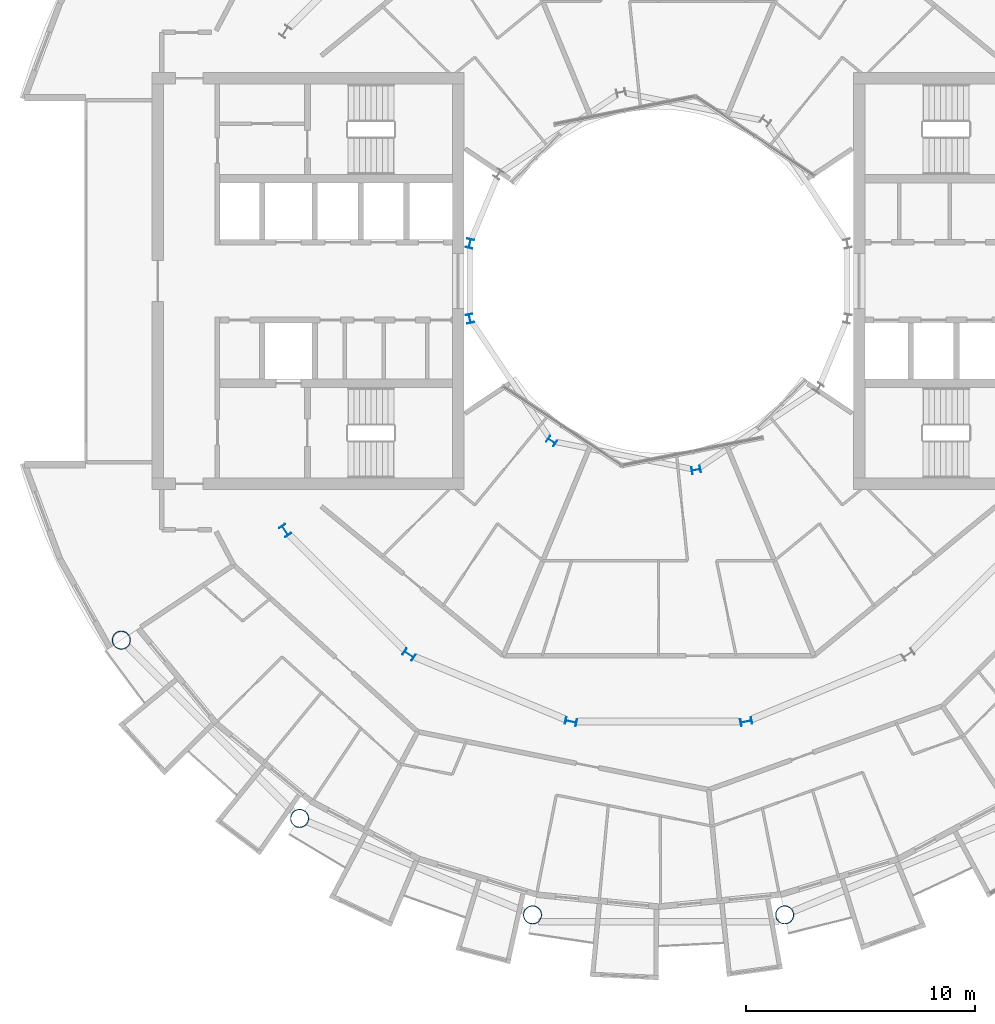
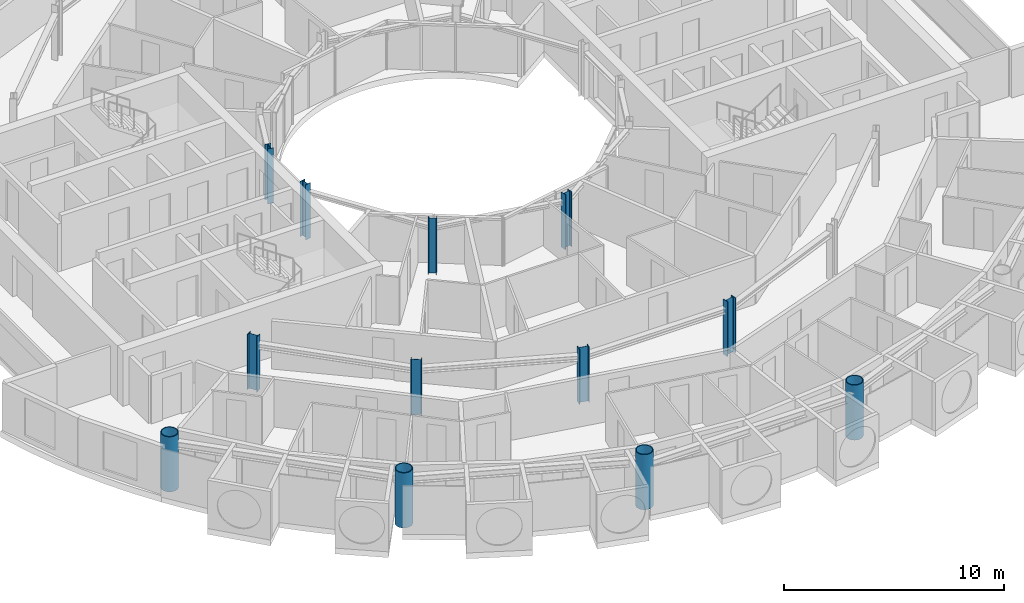
# One storey, part 1 of 26: 12 columns.
"""IFC4 building model written with IfcOpenShell, lengths in metres."""

from ifc_helpers import new_model, si_unit, direction, frame, origin, origin_2d, place, context, subcontext, project, spatial, hollow_circle, i_section, extrude, material, material_profile, profile_set, type_object, element, save


model = new_model("IFC4")

# Units and contexts
model_context = context("Model", 3, precision=1e-05, world=origin(), true_north=direction((0.0, 1.0)))
body_context = subcontext(model_context, "Body", "Model", "MODEL_VIEW")
ifc_project = project(units=[si_unit("LENGTHUNIT", "METRE"), si_unit("AREAUNIT", "SQUARE_METRE"), si_unit("VOLUMEUNIT", "CUBIC_METRE"), si_unit("PLANEANGLEUNIT", "RADIAN"), si_unit("MASSUNIT", "GRAM", prefix="KILO")], contexts=[model_context])

# Site, building, storey
site_placement = place(None, origin())
site = spatial("IfcSite", under=ifc_project, at=site_placement, CompositionType="ELEMENT")
building_placement = place(site_placement, origin())
building = spatial("IfcBuilding", under=site, at=building_placement, Name="Maasbend Ring Residences", CompositionType="ELEMENT")
storey_placement = place(building_placement, frame((0.0, 0.0, 176.85009765625)))
storey = spatial("IfcBuildingStorey", under=building, at=storey_placement, Name="L51", CompositionType="ELEMENT", Elevation=176.85009765625)

# Columns
ifc_material_1 = material(Name="Composite concrete-filled steel tube S460NH / C80/95", Category="concrete")
ifc_material_profile_1 = material_profile(ifc_material_1, hollow_circle(Radius=0.406494140625, WallThickness=0.0400390625, at=origin_2d()), Name="Composite tube column CHS 813x40")
ifc_profile_set_1 = profile_set([ifc_material_profile_1], Name="Composite concrete-filled steel tube S460NH / C80/95")
column_type_1 = type_object("IfcColumnType", Name="Composite tube column CHS 813x40", PredefinedType="COLUMN", material=ifc_profile_set_1)
for number, where, z_axis, x_axis, name in (
    (1, (-23.447509765625, -15.6669921875, 0.0), (0.0, 0.0, 1.0), (1.0, 0.0, 0.0), "Outer column R10"),
    (2, (-15.6669921875, -23.447509765625, 0.0), (0.0, 0.0, 1.0), (1.0, 0.0, 0.0), "Outer column R11"),
    (3, (-5.50146484375, -27.658203125, 0.0), (0.0, 0.0, 1.0), (1.0, 0.0, 0.0), "Outer column R12"),
    (4, (5.50146484375, -27.658203125, 0.0), (0.0, 0.0, 1.0), (1.0, 0.0, 0.0), "Outer column R13"),
):
    element("IfcColumn", number, at=place(storey_placement, frame(where, z_axis=z_axis, x_axis=x_axis)), inside=storey, type_object=column_type_1, Name=name, PredefinedType="COLUMN", context=body_context, shape_type="SweptSolid", body=[
        extrude(hollow_circle(Radius=0.406494140625, WallThickness=0.0400390625, at=origin_2d()), origin(), (0.0, 0.0, 1.0), 3.0498046875),
    ])
ifc_material_2 = material(Name="Steel S355J2", Category="steel")
ifc_material_profile_2 = material_profile(ifc_material_2, i_section(OverallWidth=0.300048828125, OverallDepth=0.389892578125, WebThickness=0.010986328125, FlangeThickness=0.01904296875, FilletRadius=0.027099609375, at=origin_2d()), Name="HEA 400")
ifc_profile_set_2 = profile_set([ifc_material_profile_2], Name="Steel S355J2")
column_type_2 = type_object("IfcColumnType", Name="Steel column HEA 400", PredefinedType="COLUMN", material=ifc_profile_set_2)
for number, where, z_axis, x_axis, name in (
    (5, (-8.238525390625, 1.638916015625, 0.0), (0.0, 0.0, 1.0), (-0.980785280403, 0.195090322016, 0.0), "Well ring column R8"),
    (6, (-8.238525390625, -1.638916015625, 0.0), (0.0, 0.0, 1.0), (-0.980785280403, -0.195090322016, 0.0), "Well ring column R9"),
    (7, (-4.666748046875, -6.984375, 0.0), (0.0, 0.0, 1.0), (-0.55557023302, -0.831469612303, 0.0), "Well ring column R11"),
    (8, (1.638916015625, -8.238525390625, 0.0), (0.0, 0.0, 1.0), (0.195090322016, -0.980785280403, 0.0), "Well ring column R13"),
):
    element("IfcColumn", number, at=place(storey_placement, frame(where, z_axis=z_axis, x_axis=x_axis)), inside=storey, type_object=column_type_2, Name=name, PredefinedType="COLUMN", context=body_context, shape_type="SweptSolid", body=[
        extrude(i_section(OverallWidth=0.300048828125, OverallDepth=0.389892578125, WebThickness=0.010986328125, FlangeThickness=0.01904296875, FilletRadius=0.027099609375, at=origin_2d()), origin(), (0.0, 0.0, 1.0), 3.0498046875),
    ])
ifc_material_3 = material(Name="Steel S355J2", Category="steel")
ifc_material_profile_3 = material_profile(ifc_material_3, i_section(OverallWidth=0.300048828125, OverallDepth=0.5, WebThickness=0.014404296875, FlangeThickness=0.028076171875, FilletRadius=0.027099609375, at=origin_2d()), Name="HEB 500")
ifc_profile_set_3 = profile_set([ifc_material_profile_3], Name="Steel S355J2")
column_type_3 = type_object("IfcColumnType", Name="Steel column HEB 500", PredefinedType="COLUMN", material=ifc_profile_set_3)
for number, where, z_axis, x_axis, name in (
    (9, (-16.296875, -10.88916015625, 0.0), (0.0, 0.0, 1.0), (-0.831469612303, -0.55557023302, 0.0), "Corridor ring column R10"),
    (10, (-10.88916015625, -16.296875, 0.0), (0.0, 0.0, 1.0), (-0.55557023302, -0.831469612303, 0.0), "Corridor ring column R11"),
    (11, (-3.82373046875, -19.223388671875, 0.0), (0.0, 0.0, 1.0), (-0.195090322016, -0.980785280403, 0.0), "Corridor ring column R12"),
    (12, (3.82373046875, -19.223388671875, 0.0), (0.0, 0.0, 1.0), (0.195090322016, -0.980785280403, 0.0), "Corridor ring column R13"),
):
    element("IfcColumn", number, at=place(storey_placement, frame(where, z_axis=z_axis, x_axis=x_axis)), inside=storey, type_object=column_type_3, Name=name, PredefinedType="COLUMN", context=body_context, shape_type="SweptSolid", body=[
        extrude(i_section(OverallWidth=0.300048828125, OverallDepth=0.5, WebThickness=0.014404296875, FlangeThickness=0.028076171875, FilletRadius=0.027099609375, at=origin_2d()), origin(), (0.0, 0.0, 1.0), 3.0498046875),
    ])

save(model, "model.ifc")
